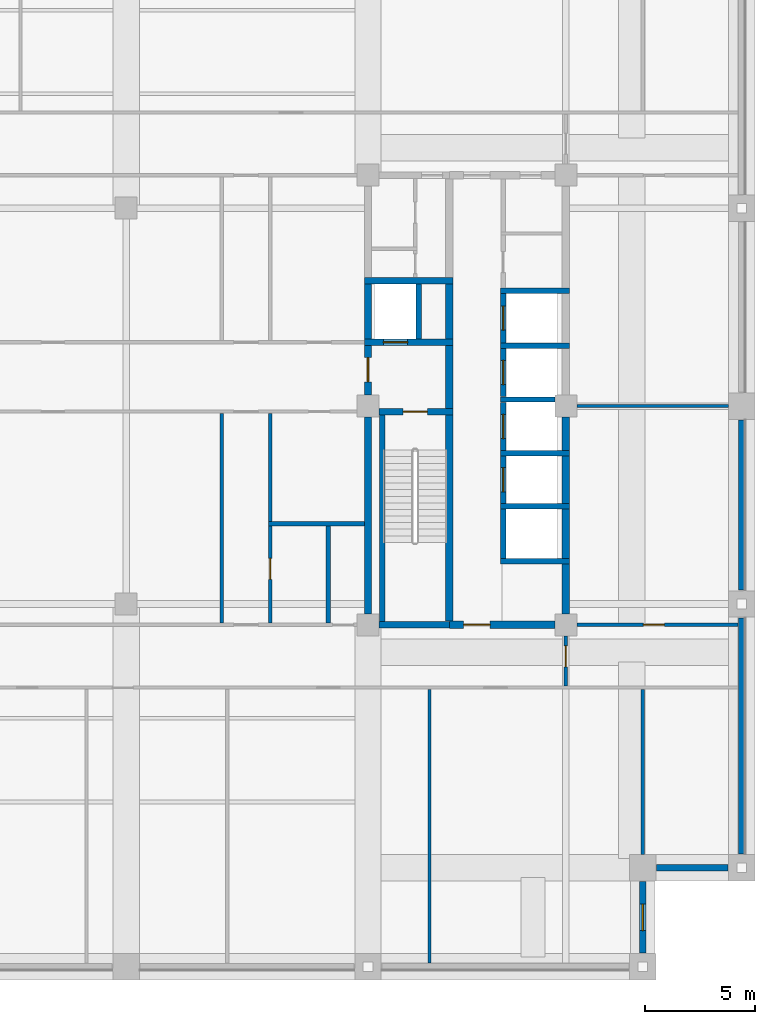
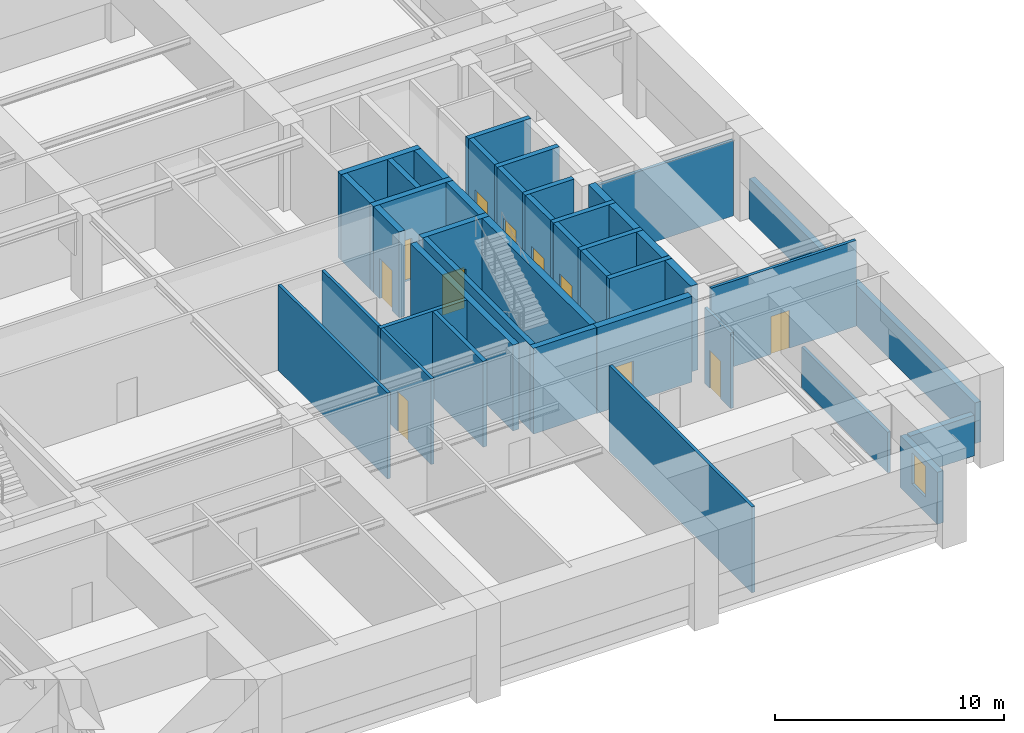
# One storey, part 4 of 11: 42 walls, 11 doors, 1 window, 12 openings.
"""IFC4 building model written with IfcOpenShell, lengths in metres."""

from ifc_helpers import new_model, si_unit, direction, frame, frame_2d, origin, place, context, subcontext, project, spatial, rectangle, extrude, material, layer, layer_set, type_object, element, fill, save


model = new_model("IFC4")

# Units and contexts
model_context = context("Model", 3, precision=1e-05, world=origin(), true_north=direction((0.0, 1.0)))
body_context = subcontext(model_context, "Body", "Model", "MODEL_VIEW")
ifc_project = project(units=[si_unit("LENGTHUNIT", "METRE"), si_unit("AREAUNIT", "SQUARE_METRE"), si_unit("VOLUMEUNIT", "CUBIC_METRE"), si_unit("PLANEANGLEUNIT", "RADIAN"), si_unit("MASSUNIT", "GRAM", prefix="KILO")], contexts=[model_context])

# Site, building, storey
site_placement = place(None, origin())
site = spatial("IfcSite", under=ifc_project, at=site_placement, CompositionType="ELEMENT")
building_placement = place(site_placement, origin())
building = spatial("IfcBuilding", under=site, at=building_placement, Name="Zulmaris Gate Convention Tower", CompositionType="ELEMENT")
storey_placement = place(building_placement, frame((0.0, 0.0, 116.349853515625)))
storey = spatial("IfcBuildingStorey", under=building, at=storey_placement, Name="L29", CompositionType="ELEMENT", Elevation=116.349853515625)

# Walls
ifc_material_1 = material(Name="Concrete C50/60", Category="concrete")
ifc_layer_1 = layer(ifc_material_1, 0.25, Name="Concrete C50/60")
ifc_layer_set_1 = layer_set([ifc_layer_1], Name="Concrete C50/60")
wall_type_1 = type_object("IfcWallType", Name="CORE-250", PredefinedType="SOLIDWALL", material=ifc_layer_set_1)
for number, where, z_axis, x_axis, name in (
    (1, (17.02490234375, -7.050048828125, 0.0), (0.0, 0.0, 1.0), (1.0, 0.0, 0.0), "WL-L29-005"),
    (2, (17.02490234375, -4.550048828125, 0.0), (0.0, 0.0, 1.0), (1.0, 0.0, 0.0), "WL-L29-006"),
    (3, (17.02490234375, -2.14990234375, 0.0), (0.0, 0.0, 1.0), (1.0, 0.0, 0.0), "WL-L29-007"),
):
    element("IfcWall", number, at=place(storey_placement, frame(where, z_axis=z_axis, x_axis=x_axis)), inside=storey, type_object=wall_type_1, Name=name, PredefinedType="SOLIDWALL", context=body_context, shape_type="SweptSolid", body=[
        extrude(rectangle(XDim=3.150146484375, YDim=0.25, at=frame_2d((1.5751953125, 0.0))), origin(), (0.0, 0.0, 1.0), 4.574951171875),
    ])
wall_1_placement = place(storey_placement, frame((17.02490234375, 0.300048828125, 0.0), z_axis=(0.0, 0.0, 1.0), x_axis=(1.0, 0.0, 0.0)))
element("IfcWall", 4, at=wall_1_placement, inside=storey, type_object=wall_type_1, Name="WL-L29-010", PredefinedType="SOLIDWALL", context=body_context, shape_type="SweptSolid", body=[
    extrude(rectangle(XDim=2.47119140625, YDim=0.25, at=frame_2d((1.235595703125, 0.0))), origin(), (0.0, 0.0, 1.0), 4.574951171875),
])
for number, where, z_axis, x_axis, name in (
    (5, (17.02490234375, 2.75, 0.0), (0.0, 0.0, 1.0), (1.0, 0.0, 0.0), "WL-L29-011"),
    (6, (17.02490234375, 5.25, 0.0), (0.0, 0.0, 1.0), (1.0, 0.0, 0.0), "WL-L29-014"),
):
    element("IfcWall", number, at=place(storey_placement, frame(where, z_axis=z_axis, x_axis=x_axis)), inside=storey, type_object=wall_type_1, Name=name, PredefinedType="SOLIDWALL", context=body_context, shape_type="SweptSolid", body=[
        extrude(rectangle(XDim=3.150146484375, YDim=0.25, at=frame_2d((1.5751953125, 0.0))), origin(), (0.0, 0.0, 1.0), 4.574951171875),
    ])
wall_2_placement = place(storey_placement, frame((11.64990234375, -9.798095703125, 0.0), z_axis=(0.0, 0.0, 1.0), x_axis=(0.0, 1.0, 0.0)))
element("IfcWall", 7, at=wall_2_placement, inside=storey, type_object=wall_type_1, Name="WL-L29-054", PredefinedType="SOLIDWALL", context=body_context, shape_type="SweptSolid", body=[
    extrude(rectangle(XDim=9.39599609375, YDim=0.25, at=frame_2d((4.697998046875, 0.0))), origin(), (0.0, 0.0, 1.0), 4.574951171875),
])
wall_3_placement = place(storey_placement, frame((13.300048828125, 3.052001953125, 0.0), z_axis=(0.0, 0.0, 1.0), x_axis=(0.0, 1.0, 0.0)))
element("IfcWall", 8, at=wall_3_placement, inside=storey, type_object=wall_type_1, Name="WL-L29-055", PredefinedType="SOLIDWALL", context=body_context, shape_type="SweptSolid", body=[
    extrude(rectangle(XDim=2.49609375, YDim=0.25, at=frame_2d((1.248046875, 0.0))), origin(), (0.0, 0.0, 1.0), 4.574951171875),
])
wall_4_placement = place(storey_placement, frame((17.14990234375, -6.923095703125, 0.0), z_axis=(0.0, 0.0, 1.0), x_axis=(0.0, 1.0, 0.0)))
element("IfcWall", 9, at=wall_4_placement, inside=storey, type_object=wall_type_1, Name="WL-L29-060", PredefinedType="SOLIDWALL", context=body_context, shape_type="SweptSolid", body=[
    extrude(rectangle(XDim=2.24609375, YDim=0.25, at=frame_2d((1.123046875, 0.0))), origin(), (0.0, 0.0, 1.0), 4.574951171875),
])

# Wall, opening, door
wall_5_placement = place(storey_placement, frame((17.14990234375, -4.423095703125, 0.0), z_axis=(0.0, 0.0, 1.0), x_axis=(0.0, 1.0, 0.0)))
wall_5 = element("IfcWall", 10, at=wall_5_placement, inside=storey, type_object=wall_type_1, Name="WL-L29-061", PredefinedType="SOLIDWALL", context=body_context, shape_type="SweptSolid", body=[
    extrude(rectangle(XDim=2.14599609375, YDim=0.25, at=frame_2d((1.072998046875, 0.0))), origin(), (0.0, 0.0, 1.0), 4.574951171875),
])
opening_1_placement = place(wall_5_placement, frame((0.52294921875, 0.0, 0.0)))
opening_1 = element("IfcOpeningElement", 11, at=opening_1_placement, cuts=wall_5, Name="Opening D-06", PredefinedType="OPENING", context=body_context, shape_type="SweptSolid", body=[
    extrude(rectangle(XDim=1.10009765625, YDim=2.199951171875, at=frame_2d((0.550048828125, 1.10009765625))), frame((0.0, 0.135009765625, 0.0), z_axis=(0.0, -1.0, 0.0), x_axis=(1.0, 0.0, 0.0)), (0.0, 0.0, 1.0), 0.27001953125),
])
ifc_material_2 = material(Name="Brushed Stainless Steel", Category="steel")
door_type_1 = type_object("IfcDoorType", Name="LD-1100", OperationType="NOTDEFINED", PredefinedType="DOOR", material=ifc_material_2)
door_1_placement = place(opening_1_placement, origin())
door_1 = element("IfcDoor", 12, at=door_1_placement, inside=storey, type_object=door_type_1, Name="L29 Lift Landing Door MP-01 17", OperationType="SLIDING_TO_RIGHT", OverallHeight=2.199951171875, OverallWidth=1.10009765625, PredefinedType="DOOR", context=body_context, shape_type="SweptSolid", body=[
    extrude(rectangle(XDim=1.10009765625, YDim=2.199951171875, at=frame_2d((0.550048828125, 1.10009765625))), frame((0.0, 0.02490234375, 0.0), z_axis=(0.0, -1.0, 0.0), x_axis=(1.0, 0.0, 0.0)), (0.0, 0.0, 1.0), 0.050048828125),
])
fill(opening_1, door_1)

wall_6_placement = place(storey_placement, frame((17.14990234375, -2.02294921875, 0.0), z_axis=(0.0, 0.0, 1.0), x_axis=(0.0, 1.0, 0.0)))
wall_6 = element("IfcWall", 13, at=wall_6_placement, inside=storey, type_object=wall_type_1, Name="WL-L29-062", PredefinedType="SOLIDWALL", context=body_context, shape_type="SweptSolid", body=[
    extrude(rectangle(XDim=2.196044921875, YDim=0.25, at=frame_2d((1.09814453125, 0.0))), origin(), (0.0, 0.0, 1.0), 4.574951171875),
])
opening_2_placement = place(wall_6_placement, frame((0.548095703125, 0.0, 0.0)))
opening_2 = element("IfcOpeningElement", 14, at=opening_2_placement, cuts=wall_6, Name="Opening D-06", PredefinedType="OPENING", context=body_context, shape_type="SweptSolid", body=[
    extrude(rectangle(XDim=1.10009765625, YDim=2.199951171875, at=frame_2d((0.550048828125, 1.10009765625))), frame((0.0, 0.135009765625, 0.0), z_axis=(0.0, -1.0, 0.0), x_axis=(1.0, 0.0, 0.0)), (0.0, 0.0, 1.0), 0.27001953125),
])
door_2_placement = place(opening_2_placement, origin())
door_2 = element("IfcDoor", 15, at=door_2_placement, inside=storey, type_object=door_type_1, Name="L29 Lift Landing Door MP-02 18", OperationType="SLIDING_TO_RIGHT", OverallHeight=2.199951171875, OverallWidth=1.10009765625, PredefinedType="DOOR", context=body_context, shape_type="SweptSolid", body=[
    extrude(rectangle(XDim=1.10009765625, YDim=2.199951171875, at=frame_2d((0.550048828125, 1.10009765625))), frame((0.0, 0.02490234375, 0.0), z_axis=(0.0, -1.0, 0.0), x_axis=(1.0, 0.0, 0.0)), (0.0, 0.0, 1.0), 0.050048828125),
])
fill(opening_2, door_2)

wall_7_placement = place(storey_placement, frame((17.14990234375, 0.427001953125, 0.0), z_axis=(0.0, 0.0, 1.0), x_axis=(0.0, 1.0, 0.0)))
wall_7 = element("IfcWall", 16, at=wall_7_placement, inside=storey, type_object=wall_type_1, Name="WL-L29-063", PredefinedType="SOLIDWALL", context=body_context, shape_type="SweptSolid", body=[
    extrude(rectangle(XDim=2.196044921875, YDim=0.25, at=frame_2d((1.09814453125, 0.0))), origin(), (0.0, 0.0, 1.0), 4.574951171875),
])
opening_3_placement = place(wall_7_placement, frame((0.548095703125, 0.0, 0.0)))
opening_3 = element("IfcOpeningElement", 17, at=opening_3_placement, cuts=wall_7, Name="Opening D-06", PredefinedType="OPENING", context=body_context, shape_type="SweptSolid", body=[
    extrude(rectangle(XDim=1.10009765625, YDim=2.199951171875, at=frame_2d((0.550048828125, 1.10009765625))), frame((0.0, 0.135009765625, 0.0), z_axis=(0.0, -1.0, 0.0), x_axis=(1.0, 0.0, 0.0)), (0.0, 0.0, 1.0), 0.27001953125),
])
door_3_placement = place(opening_3_placement, origin())
door_3 = element("IfcDoor", 18, at=door_3_placement, inside=storey, type_object=door_type_1, Name="L29 Lift Landing Door MP-03 19", OperationType="SLIDING_TO_RIGHT", OverallHeight=2.199951171875, OverallWidth=1.10009765625, PredefinedType="DOOR", context=body_context, shape_type="SweptSolid", body=[
    extrude(rectangle(XDim=1.10009765625, YDim=2.199951171875, at=frame_2d((0.550048828125, 1.10009765625))), frame((0.0, 0.02490234375, 0.0), z_axis=(0.0, -1.0, 0.0), x_axis=(1.0, 0.0, 0.0)), (0.0, 0.0, 1.0), 0.050048828125),
])
fill(opening_3, door_3)

wall_8_placement = place(storey_placement, frame((17.14990234375, 2.876953125, 0.0), z_axis=(0.0, 0.0, 1.0), x_axis=(0.0, 1.0, 0.0)))
wall_8 = element("IfcWall", 19, at=wall_8_placement, inside=storey, type_object=wall_type_1, Name="WL-L29-064", PredefinedType="SOLIDWALL", context=body_context, shape_type="SweptSolid", body=[
    extrude(rectangle(XDim=2.24609375, YDim=0.25, at=frame_2d((1.123046875, 0.0))), origin(), (0.0, 0.0, 1.0), 4.574951171875),
])
opening_4_placement = place(wall_8_placement, frame((0.572998046875, 0.0, 0.0)))
opening_4 = element("IfcOpeningElement", 20, at=opening_4_placement, cuts=wall_8, Name="Opening D-06", PredefinedType="OPENING", context=body_context, shape_type="SweptSolid", body=[
    extrude(rectangle(XDim=1.10009765625, YDim=2.199951171875, at=frame_2d((0.550048828125, 1.10009765625))), frame((0.0, 0.135009765625, 0.0), z_axis=(0.0, -1.0, 0.0), x_axis=(1.0, 0.0, 0.0)), (0.0, 0.0, 1.0), 0.27001953125),
])
door_4_placement = place(opening_4_placement, origin())
door_4 = element("IfcDoor", 21, at=door_4_placement, inside=storey, type_object=door_type_1, Name="L29 Lift Landing Door MP-04 20", OperationType="SLIDING_TO_RIGHT", OverallHeight=2.199951171875, OverallWidth=1.10009765625, PredefinedType="DOOR", context=body_context, shape_type="SweptSolid", body=[
    extrude(rectangle(XDim=1.10009765625, YDim=2.199951171875, at=frame_2d((0.550048828125, 1.10009765625))), frame((0.0, 0.02490234375, 0.0), z_axis=(0.0, -1.0, 0.0), x_axis=(1.0, 0.0, 0.0)), (0.0, 0.0, 1.0), 0.050048828125),
])
fill(opening_4, door_4)

# Wall
ifc_layer_2 = layer(ifc_material_1, 0.300048828125, Name="Concrete C50/60")
ifc_layer_set_2 = layer_set([ifc_layer_2], Name="Concrete C50/60")
wall_type_2 = type_object("IfcWallType", Name="CORE-300", PredefinedType="SHEAR", material=ifc_layer_set_2)
wall_9_placement = place(storey_placement, frame((11.50390625, -9.949951171875, 0.0), z_axis=(0.0, 0.0, 1.0), x_axis=(1.0, 0.0, 0.0)))
element("IfcWall", 22, at=wall_9_placement, inside=storey, type_object=wall_type_2, Name="WL-L29-003", PredefinedType="SHEAR", context=body_context, shape_type="SweptSolid", body=[
    extrude(rectangle(XDim=3.196044921875, YDim=0.300048828125, at=frame_2d((1.59814453125, 0.0))), origin(), (0.0, 0.0, 1.0), 4.574951171875),
])

# Wall, opening, door
wall_10_placement = place(storey_placement, frame((11.50390625, -0.25, 0.0), z_axis=(0.0, 0.0, 1.0), x_axis=(1.0, 0.0, 0.0)))
wall_10 = element("IfcWall", 23, at=wall_10_placement, inside=storey, type_object=wall_type_2, Name="WL-L29-009", PredefinedType="SHEAR", context=body_context, shape_type="SweptSolid", body=[
    extrude(rectangle(XDim=3.37109375, YDim=0.300048828125, at=frame_2d((1.685546875, 0.0))), origin(), (0.0, 0.0, 1.0), 4.574951171875),
])
opening_5_placement = place(wall_10_placement, frame((1.095947265625, 0.0, 0.0)))
opening_5 = element("IfcOpeningElement", 24, at=opening_5_placement, cuts=wall_10, Name="Opening D-08", PredefinedType="OPENING", context=body_context, shape_type="SweptSolid", body=[
    extrude(rectangle(XDim=1.10009765625, YDim=2.14990234375, at=frame_2d((0.550048828125, 1.074951171875))), frame((0.0, 0.16015625, 0.0), z_axis=(0.0, -1.0, 0.0), x_axis=(1.0, 0.0, 0.0)), (0.0, 0.0, 1.0), 0.320068359375),
])
ifc_material_3 = material(Name="Fire-Rated Steel", Category="steel")
door_type_2 = type_object("IfcDoorType", Name="DR-1100-FD", OperationType="NOTDEFINED", PredefinedType="DOOR", material=ifc_material_3)
door_5_placement = place(opening_5_placement, origin())
door_5 = element("IfcDoor", 25, at=door_5_placement, inside=storey, type_object=door_type_2, Name="L29 Exit Stair ST-2 Door 04", OperationType="SINGLE_SWING_RIGHT", OverallHeight=2.14990234375, OverallWidth=1.10009765625, PredefinedType="DOOR", context=body_context, shape_type="SweptSolid", body=[
    extrude(rectangle(XDim=1.10009765625, YDim=2.14990234375, at=frame_2d((0.550048828125, 1.074951171875))), frame((0.0, 0.02490234375, 0.0), z_axis=(0.0, -1.0, 0.0), x_axis=(1.0, 0.0, 0.0)), (0.0, 0.0, 1.0), 0.050048828125),
])
fill(opening_5, door_5)

wall_11_placement = place(storey_placement, frame((10.85009765625, 2.89990234375, 0.0), z_axis=(0.0, 0.0, 1.0), x_axis=(1.0, 0.0, 0.0)))
wall_11 = element("IfcWall", 26, at=wall_11_placement, inside=storey, type_object=wall_type_2, Name="WL-L29-013", PredefinedType="SHEAR", context=body_context, shape_type="SweptSolid", body=[
    extrude(rectangle(XDim=4.02490234375, YDim=0.300048828125, at=frame_2d((2.012451171875, 0.0))), origin(), (0.0, 0.0, 1.0), 4.574951171875),
])
opening_6_placement = place(wall_11_placement, frame((0.85009765625, 0.0, 0.0)))
opening_6 = element("IfcOpeningElement", 27, at=opening_6_placement, cuts=wall_11, Name="Opening D-06", PredefinedType="OPENING", context=body_context, shape_type="SweptSolid", body=[
    extrude(rectangle(XDim=1.10009765625, YDim=2.199951171875, at=frame_2d((0.550048828125, 1.10009765625))), frame((0.0, 0.16015625, 0.0), z_axis=(0.0, -1.0, 0.0), x_axis=(1.0, 0.0, 0.0)), (0.0, 0.0, 1.0), 0.320068359375),
])
door_6_placement = place(opening_6_placement, origin())
door_6 = element("IfcDoor", 28, at=door_6_placement, inside=storey, type_object=door_type_1, Name="L29 Lift Landing Door LF-02 06", OperationType="SLIDING_TO_RIGHT", OverallHeight=2.199951171875, OverallWidth=1.10009765625, PredefinedType="DOOR", context=body_context, shape_type="SweptSolid", body=[
    extrude(rectangle(XDim=1.10009765625, YDim=2.199951171875, at=frame_2d((0.550048828125, 1.10009765625))), frame((0.0, 0.02490234375, 0.0), z_axis=(0.0, -1.0, 0.0), x_axis=(1.0, 0.0, 0.0)), (0.0, 0.0, 1.0), 0.050048828125),
])
fill(opening_6, door_6)

# Walls
wall_12_placement = place(storey_placement, frame((10.85009765625, 5.699951171875, 0.0), z_axis=(0.0, 0.0, 1.0), x_axis=(1.0, 0.0, 0.0)))
element("IfcWall", 29, at=wall_12_placement, inside=storey, type_object=wall_type_2, Name="WL-L29-016", PredefinedType="SHEAR", context=body_context, shape_type="SweptSolid", body=[
    extrude(rectangle(XDim=4.02490234375, YDim=0.300048828125, at=frame_2d((2.012451171875, 0.0))), origin(), (0.0, 0.0, 1.0), 4.574951171875),
])
wall_13_placement = place(storey_placement, frame((11.0, -9.446044921875, 0.0), z_axis=(0.0, 0.0, 1.0), x_axis=(0.0, 1.0, 0.0)))
element("IfcWall", 30, at=wall_13_placement, inside=storey, type_object=wall_type_2, Name="WL-L29-050", PredefinedType="SHEAR", context=body_context, shape_type="SweptSolid", body=[
    extrude(rectangle(XDim=8.942138671875, YDim=0.300048828125, at=frame_2d((4.47119140625, 0.0))), origin(), (0.0, 0.0, 1.0), 4.574951171875),
])

# Wall, opening, door
wall_14_placement = place(storey_placement, frame((11.0, 0.50390625, 0.0), z_axis=(0.0, 0.0, 1.0), x_axis=(0.0, 1.0, 0.0)))
wall_14 = element("IfcWall", 31, at=wall_14_placement, inside=storey, type_object=wall_type_2, Name="WL-L29-051", PredefinedType="SHEAR", context=body_context, shape_type="SweptSolid", body=[
    extrude(rectangle(XDim=2.244140625, YDim=0.300048828125, at=frame_2d((1.1220703125, 0.0))), origin(), (0.0, 0.0, 1.0), 4.574951171875),
])
opening_7_placement = place(wall_14_placement, frame((0.595947265625, 0.0, 0.0)))
opening_7 = element("IfcOpeningElement", 32, at=opening_7_placement, cuts=wall_14, Name="Opening D-08", PredefinedType="OPENING", context=body_context, shape_type="SweptSolid", body=[
    extrude(rectangle(XDim=1.10009765625, YDim=2.14990234375, at=frame_2d((0.550048828125, 1.074951171875))), frame((0.0, 0.16015625, 0.0), z_axis=(0.0, -1.0, 0.0), x_axis=(1.0, 0.0, 0.0)), (0.0, 0.0, 1.0), 0.320068359375),
])
door_7_placement = place(opening_7_placement, origin())
door_7 = element("IfcDoor", 33, at=door_7_placement, inside=storey, type_object=door_type_2, Name="L29 East Firefighting Lobby Door 05", OperationType="SINGLE_SWING_LEFT", OverallHeight=2.14990234375, OverallWidth=1.10009765625, PredefinedType="DOOR", context=body_context, shape_type="SweptSolid", body=[
    extrude(rectangle(XDim=1.10009765625, YDim=2.14990234375, at=frame_2d((0.550048828125, 1.074951171875))), frame((0.0, 0.02490234375, 0.0), z_axis=(0.0, -1.0, 0.0), x_axis=(1.0, 0.0, 0.0)), (0.0, 0.0, 1.0), 0.050048828125),
])
fill(opening_7, door_7)

# Wall
wall_15_placement = place(storey_placement, frame((11.0, 3.052001953125, 0.0), z_axis=(0.0, 0.0, 1.0), x_axis=(0.0, 1.0, 0.0)))
element("IfcWall", 34, at=wall_15_placement, inside=storey, type_object=wall_type_2, Name="WL-L29-052", PredefinedType="SHEAR", context=body_context, shape_type="SweptSolid", body=[
    extrude(rectangle(XDim=2.49609375, YDim=0.300048828125, at=frame_2d((1.248046875, 0.0))), origin(), (0.0, 0.0, 1.0), 4.574951171875),
])

# Wall, opening, door
ifc_material_4 = material(Name="Concrete C55/67", Category="concrete")
ifc_layer_3 = layer(ifc_material_4, 0.35009765625, Name="Concrete C55/67")
ifc_layer_set_3 = layer_set([ifc_layer_3], Name="Concrete C55/67")
wall_type_3 = type_object("IfcWallType", Name="CORE-350", PredefinedType="SHEAR", material=ifc_layer_set_3)
wall_16_placement = place(storey_placement, frame((14.699951171875, -9.949951171875, 0.0), z_axis=(0.0, 0.0, 1.0), x_axis=(1.0, 0.0, 0.0)))
wall_16 = element("IfcWall", 35, at=wall_16_placement, inside=storey, type_object=wall_type_3, Name="WL-L29-004", PredefinedType="SHEAR", context=body_context, shape_type="SweptSolid", body=[
    extrude(rectangle(XDim=4.796142578125, YDim=0.35009765625, at=frame_2d((2.39794921875, 0.0))), origin(), (0.0, 0.0, 1.0), 4.574951171875),
])
opening_8_placement = place(wall_16_placement, frame((0.64990234375, 0.0, 0.0)))
opening_8 = element("IfcOpeningElement", 36, at=opening_8_placement, cuts=wall_16, Name="Opening D-13", PredefinedType="OPENING", context=body_context, shape_type="SweptSolid", body=[
    extrude(rectangle(XDim=1.199951171875, YDim=2.14990234375, at=frame_2d((0.60009765625, 1.074951171875))), frame((0.0, 0.18505859375, 0.0), z_axis=(0.0, -1.0, 0.0), x_axis=(1.0, 0.0, 0.0)), (0.0, 0.0, 1.0), 0.3701171875),
])
door_type_3 = type_object("IfcDoorType", Name="DR-1200-FD", OperationType="NOTDEFINED", PredefinedType="DOOR", material=ifc_material_3)
door_8_placement = place(opening_8_placement, origin())
door_8 = element("IfcDoor", 37, at=door_8_placement, inside=storey, type_object=door_type_3, Name="L29 East Lift Lobby South Door 21", OperationType="SINGLE_SWING_RIGHT", OverallHeight=2.14990234375, OverallWidth=1.199951171875, PredefinedType="DOOR", context=body_context, shape_type="SweptSolid", body=[
    extrude(rectangle(XDim=1.199951171875, YDim=2.14990234375, at=frame_2d((0.60009765625, 1.074951171875))), frame((0.0, 0.02490234375, 0.0), z_axis=(0.0, -1.0, 0.0), x_axis=(1.0, 0.0, 0.0)), (0.0, 0.0, 1.0), 0.050048828125),
])
fill(opening_8, door_8)

# Walls
wall_17_placement = place(storey_placement, frame((14.699951171875, -9.77294921875, 0.0), z_axis=(0.0, 0.0, 1.0), x_axis=(0.0, 1.0, 0.0)))
element("IfcWall", 38, at=wall_17_placement, inside=storey, type_object=wall_type_3, Name="WL-L29-056", PredefinedType="SHEAR", context=body_context, shape_type="SweptSolid", body=[
    extrude(rectangle(XDim=9.370849609375, YDim=0.35009765625, at=frame_2d((4.685546875, 0.0))), origin(), (0.0, 0.0, 1.0), 4.574951171875),
])
wall_18_placement = place(storey_placement, frame((14.699951171875, -0.097900390625, 0.0), z_axis=(0.0, 0.0, 1.0), x_axis=(0.0, 1.0, 0.0)))
element("IfcWall", 39, at=wall_18_placement, inside=storey, type_object=wall_type_3, Name="WL-L29-057", PredefinedType="SHEAR", context=body_context, shape_type="SweptSolid", body=[
    extrude(rectangle(XDim=2.845947265625, YDim=0.35009765625, at=frame_2d((1.4228515625, 0.0))), origin(), (0.0, 0.0, 1.0), 4.574951171875),
])
wall_19_placement = place(storey_placement, frame((14.699951171875, 3.052001953125, 0.0), z_axis=(0.0, 0.0, 1.0), x_axis=(0.0, 1.0, 0.0)))
element("IfcWall", 40, at=wall_19_placement, inside=storey, type_object=wall_type_3, Name="WL-L29-058", PredefinedType="SHEAR", context=body_context, shape_type="SweptSolid", body=[
    extrude(rectangle(XDim=2.49609375, YDim=0.35009765625, at=frame_2d((1.248046875, 0.0))), origin(), (0.0, 0.0, 1.0), 4.574951171875),
])
wall_20_placement = place(storey_placement, frame((20.0, -9.446044921875, 0.0), z_axis=(0.0, 0.0, 1.0), x_axis=(0.0, 1.0, 0.0)))
element("IfcWall", 41, at=wall_20_placement, inside=storey, type_object=wall_type_3, Name="WL-L29-065", PredefinedType="SHEAR", context=body_context, shape_type="SweptSolid", body=[
    extrude(rectangle(XDim=2.26904296875, YDim=0.35009765625, at=frame_2d((1.134521484375, 0.0))), origin(), (0.0, 0.0, 1.0), 4.574951171875),
])
wall_21_placement = place(storey_placement, frame((20.0, -6.923095703125, 0.0), z_axis=(0.0, 0.0, 1.0), x_axis=(0.0, 1.0, 0.0)))
element("IfcWall", 42, at=wall_21_placement, inside=storey, type_object=wall_type_3, Name="WL-L29-066", PredefinedType="SHEAR", context=body_context, shape_type="SweptSolid", body=[
    extrude(rectangle(XDim=2.24609375, YDim=0.35009765625, at=frame_2d((1.123046875, 0.0))), origin(), (0.0, 0.0, 1.0), 4.574951171875),
])
wall_22_placement = place(storey_placement, frame((20.0, -4.423095703125, 0.0), z_axis=(0.0, 0.0, 1.0), x_axis=(0.0, 1.0, 0.0)))
element("IfcWall", 43, at=wall_22_placement, inside=storey, type_object=wall_type_3, Name="WL-L29-067", PredefinedType="SHEAR", context=body_context, shape_type="SweptSolid", body=[
    extrude(rectangle(XDim=2.14599609375, YDim=0.35009765625, at=frame_2d((1.072998046875, 0.0))), origin(), (0.0, 0.0, 1.0), 4.574951171875),
])
wall_23_placement = place(storey_placement, frame((20.0, -2.02294921875, 0.0), z_axis=(0.0, 0.0, 1.0), x_axis=(0.0, 1.0, 0.0)))
element("IfcWall", 44, at=wall_23_placement, inside=storey, type_object=wall_type_3, Name="WL-L29-068", PredefinedType="SHEAR", context=body_context, shape_type="SweptSolid", body=[
    extrude(rectangle(XDim=1.51904296875, YDim=0.35009765625, at=frame_2d((0.759521484375, 0.0))), origin(), (0.0, 0.0, 1.0), 4.574951171875),
])

# Wall, opening, door
ifc_material_5 = material(Name="Gypsum Metal Stud Partition")
ifc_layer_4 = layer(ifc_material_5, 0.14990234375, Name="Gypsum Metal Stud Partition")
ifc_layer_set_4 = layer_set([ifc_layer_4], Name="Gypsum Metal Stud Partition")
wall_type_4 = type_object("IfcWallType", Name="PART-150", PredefinedType="PARTITIONING", material=ifc_layer_set_4)
wall_24_placement = place(storey_placement, frame((20.506103515625, -9.949951171875, 0.0), z_axis=(0.0, 0.0, 1.0), x_axis=(1.0, 0.0, 0.0)))
wall_24 = element("IfcWall", 45, at=wall_24_placement, inside=storey, type_object=wall_type_4, Name="WL-L29-024", PredefinedType="PARTITIONING", context=body_context, shape_type="SweptSolid", body=[
    extrude(rectangle(XDim=7.328857421875, YDim=0.14990234375, at=frame_2d((3.66455078125, 0.0))), origin(), (0.0, 0.0, 1.0), 4.574951171875),
])
opening_9_placement = place(wall_24_placement, frame((3.01904296875, 0.0, 0.0)))
opening_9 = element("IfcOpeningElement", 46, at=opening_9_placement, cuts=wall_24, Name="Opening D-25", PredefinedType="OPENING", context=body_context, shape_type="SweptSolid", body=[
    extrude(rectangle(XDim=0.949951171875, YDim=2.02001953125, at=frame_2d((0.47509765625, 1.010009765625))), frame((0.0, 0.0849609375, 0.0), z_axis=(0.0, -1.0, 0.0), x_axis=(1.0, 0.0, 0.0)), (0.0, 0.0, 1.0), 0.169921875),
])
door_type_4 = type_object("IfcDoorType", Name="DR-950-LOW-FD", OperationType="NOTDEFINED", PredefinedType="DOOR", material=ifc_material_3)
door_9_placement = place(opening_9_placement, origin())
door_9 = element("IfcDoor", 47, at=door_9_placement, inside=storey, type_object=door_type_4, Name="L29 SE Partner Door 49", OperationType="SINGLE_SWING_RIGHT", OverallHeight=2.02001953125, OverallWidth=0.949951171875, PredefinedType="DOOR", context=body_context, shape_type="SweptSolid", body=[
    extrude(rectangle(XDim=0.949951171875, YDim=2.02001953125, at=frame_2d((0.47509765625, 1.010009765625))), frame((0.0, 0.02490234375, 0.0), z_axis=(0.0, -1.0, 0.0), x_axis=(1.0, 0.0, 0.0)), (0.0, 0.0, 1.0), 0.050048828125),
])
fill(opening_9, door_9)

# Walls
wall_25_placement = place(storey_placement, frame((20.506103515625, 0.0, 0.0), z_axis=(0.0, 0.0, 1.0), x_axis=(1.0, 0.0, 0.0)))
element("IfcWall", 48, at=wall_25_placement, inside=storey, type_object=wall_type_4, Name="WL-L29-027", PredefinedType="PARTITIONING", context=body_context, shape_type="SweptSolid", body=[
    extrude(rectangle(XDim=6.887939453125, YDim=0.14990234375, at=frame_2d((3.44384765625, 0.0))), origin(), (0.0, 0.0, 1.0), 4.030029296875),
])
wall_26_placement = place(storey_placement, frame((4.35009765625, -9.8720703125, 0.0), z_axis=(0.0, 0.0, 1.0), x_axis=(0.0, 1.0, 0.0)))
element("IfcWall", 49, at=wall_26_placement, inside=storey, type_object=wall_type_4, Name="WL-L29-083", PredefinedType="PARTITIONING", context=body_context, shape_type="SweptSolid", body=[
    extrude(rectangle(XDim=9.544189453125, YDim=0.14990234375, at=frame_2d((4.77197265625, 0.0))), origin(), (0.0, 0.0, 1.0), 4.574951171875),
])

# Wall, opening, door
wall_27_placement = place(storey_placement, frame((6.550048828125, -9.8720703125, 0.0), z_axis=(0.0, 0.0, 1.0), x_axis=(0.0, 1.0, 0.0)))
wall_27 = element("IfcWall", 50, at=wall_27_placement, inside=storey, type_object=wall_type_4, Name="WL-L29-086", PredefinedType="PARTITIONING", context=body_context, shape_type="SweptSolid", body=[
    extrude(rectangle(XDim=4.419189453125, YDim=0.14990234375, at=frame_2d((2.20947265625, 0.0))), origin(), (0.0, 0.0, 1.0), 4.574951171875),
])
opening_10_placement = place(wall_27_placement, frame((1.9970703125, 0.0, 0.0)))
opening_10 = element("IfcOpeningElement", 51, at=opening_10_placement, cuts=wall_27, Name="Opening D-11", PredefinedType="OPENING", context=body_context, shape_type="SweptSolid", body=[
    extrude(rectangle(XDim=0.949951171875, YDim=2.14990234375, at=frame_2d((0.47509765625, 1.074951171875))), frame((0.0, 0.0849609375, 0.0), z_axis=(0.0, -1.0, 0.0), x_axis=(1.0, 0.0, 0.0)), (0.0, 0.0, 1.0), 0.169921875),
])
ifc_material_6 = material(Name="Fire-Rated Timber", Category="wood")
door_type_5 = type_object("IfcDoorType", Name="DR-950-FD", OperationType="NOTDEFINED", PredefinedType="DOOR", material=ifc_material_6)
door_10_placement = place(opening_10_placement, origin())
door_10 = element("IfcDoor", 52, at=door_10_placement, inside=storey, type_object=door_type_5, Name="L29 Accessible WC Door 40", OperationType="SINGLE_SWING_LEFT", OverallHeight=2.14990234375, OverallWidth=0.949951171875, PredefinedType="DOOR", context=body_context, shape_type="SweptSolid", body=[
    extrude(rectangle(XDim=0.949951171875, YDim=2.14990234375, at=frame_2d((0.47509765625, 1.074951171875))), frame((0.0, 0.02490234375, 0.0), z_axis=(0.0, -1.0, 0.0), x_axis=(1.0, 0.0, 0.0)), (0.0, 0.0, 1.0), 0.050048828125),
])
fill(opening_10, door_10)

# Walls
wall_28_placement = place(storey_placement, frame((6.550048828125, -5.2470703125, 0.0), z_axis=(0.0, 0.0, 1.0), x_axis=(0.0, 1.0, 0.0)))
element("IfcWall", 53, at=wall_28_placement, inside=storey, type_object=wall_type_4, Name="WL-L29-087", PredefinedType="PARTITIONING", context=body_context, shape_type="SweptSolid", body=[
    extrude(rectangle(XDim=4.919189453125, YDim=0.14990234375, at=frame_2d((2.45947265625, 0.0))), origin(), (0.0, 0.0, 1.0), 4.574951171875),
])
wall_29_placement = place(storey_placement, frame((13.800048828125, -25.3349609375, 0.0), z_axis=(0.0, 0.0, 1.0), x_axis=(0.0, 1.0, 0.0)))
element("IfcWall", 54, at=wall_29_placement, inside=storey, type_object=wall_type_4, Name="WL-L29-092", PredefinedType="PARTITIONING", context=body_context, shape_type="SweptSolid", body=[
    extrude(rectangle(XDim=12.45703125, YDim=0.14990234375, at=frame_2d((6.228515625, 0.0))), origin(), (0.0, 0.0, 1.0), 4.574951171875),
])

# Wall, opening, door
wall_30_placement = place(storey_placement, frame((20.0, -12.721923828125, 0.0), z_axis=(0.0, 0.0, 1.0), x_axis=(0.0, 1.0, 0.0)))
wall_30 = element("IfcWall", 55, at=wall_30_placement, inside=storey, type_object=wall_type_4, Name="WL-L29-095", PredefinedType="PARTITIONING", context=body_context, shape_type="SweptSolid", body=[
    extrude(rectangle(XDim=2.265869140625, YDim=0.14990234375, at=frame_2d((1.1328125, 0.0))), origin(), (0.0, 0.0, 1.0), 4.030029296875),
])
opening_11_placement = place(wall_30_placement, frame((0.866943359375, 0.0, 0.0)))
opening_11 = element("IfcOpeningElement", 56, at=opening_11_placement, cuts=wall_30, Name="Opening D-25", PredefinedType="OPENING", context=body_context, shape_type="SweptSolid", body=[
    extrude(rectangle(XDim=0.949951171875, YDim=2.02001953125, at=frame_2d((0.47509765625, 1.010009765625))), frame((0.0, 0.0849609375, 0.0), z_axis=(0.0, -1.0, 0.0), x_axis=(1.0, 0.0, 0.0)), (0.0, 0.0, 1.0), 0.169921875),
])
door_11_placement = place(opening_11_placement, origin())
door_11 = element("IfcDoor", 57, at=door_11_placement, inside=storey, type_object=door_type_4, Name="L29 SE Spur Door 47", OperationType="SINGLE_SWING_RIGHT", OverallHeight=2.02001953125, OverallWidth=0.949951171875, PredefinedType="DOOR", context=body_context, shape_type="SweptSolid", body=[
    extrude(rectangle(XDim=0.949951171875, YDim=2.02001953125, at=frame_2d((0.47509765625, 1.010009765625))), frame((0.0, 0.02490234375, 0.0), z_axis=(0.0, -1.0, 0.0), x_axis=(1.0, 0.0, 0.0)), (0.0, 0.0, 1.0), 0.050048828125),
])
fill(opening_11, door_11)

# Walls
wall_31_placement = place(storey_placement, frame((23.5, -20.39404296875, 0.0), z_axis=(0.0, 0.0, 1.0), x_axis=(0.0, 1.0, 0.0)))
element("IfcWall", 58, at=wall_31_placement, inside=storey, type_object=wall_type_4, Name="WL-L29-097", PredefinedType="PARTITIONING", context=body_context, shape_type="SweptSolid", body=[
    extrude(rectangle(XDim=7.51611328125, YDim=0.14990234375, at=frame_2d((3.758056640625, 0.0))), origin(), (0.0, 0.0, 1.0), 2.1669921875),
])
ifc_material_7 = material(Name="Autoclaved Aerated Concrete Block and Plasterboard", Category="concrete")
ifc_layer_5 = layer(ifc_material_7, 0.199951171875, Name="Autoclaved Aerated Concrete Block and Plasterboard")
ifc_layer_set_5 = layer_set([ifc_layer_5], Name="Autoclaved Aerated Concrete Block and Plasterboard")
wall_type_5 = type_object("IfcWallType", Name="PART-200", PredefinedType="PARTITIONING", material=ifc_layer_set_5)
wall_32_placement = place(storey_placement, frame((6.47509765625, -5.35009765625, 0.0), z_axis=(0.0, 0.0, 1.0), x_axis=(1.0, 0.0, 0.0)))
element("IfcWall", 59, at=wall_32_placement, inside=storey, type_object=wall_type_5, Name="WL-L29-025", PredefinedType="PARTITIONING", context=body_context, shape_type="SweptSolid", body=[
    extrude(rectangle(XDim=4.371826171875, YDim=0.199951171875, at=frame_2d((2.18603515625, 0.0))), origin(), (0.0, 0.0, 1.0), 4.574951171875),
])
wall_33_placement = place(storey_placement, frame((9.199951171875, -9.8720703125, 0.0), z_axis=(0.0, 0.0, 1.0), x_axis=(0.0, 1.0, 0.0)))
element("IfcWall", 60, at=wall_33_placement, inside=storey, type_object=wall_type_5, Name="WL-L29-089", PredefinedType="PARTITIONING", context=body_context, shape_type="SweptSolid", body=[
    extrude(rectangle(XDim=4.419189453125, YDim=0.199951171875, at=frame_2d((2.20947265625, 0.0))), origin(), (0.0, 0.0, 1.0), 4.574951171875),
])

# Wall, opening, window
ifc_material_8 = material(Name="Precast concrete C40/50", Category="concrete")
ifc_layer_6 = layer(ifc_material_8, 0.300048828125, Name="Precast concrete C40/50")
ifc_layer_set_6 = layer_set([ifc_layer_6], Name="Precast concrete C40/50")
wall_type_6 = type_object("IfcWallType", Name="PRECAST-PIER-300", PredefinedType="STANDARD", material=ifc_layer_set_6)
wall_34_placement = place(storey_placement, frame((23.5, -24.8701171875, 0.0), z_axis=(0.0, 0.0, 1.0), x_axis=(0.0, 1.0, 0.0)))
wall_34 = element("IfcWall", 61, at=wall_34_placement, inside=storey, type_object=wall_type_6, Name="EW-L29-NOTCH-SE1_0", PredefinedType="STANDARD", context=body_context, shape_type="SweptSolid", body=[
    extrude(rectangle(XDim=3.240234375, YDim=0.300048828125, at=frame_2d((1.6201171875, 0.0))), origin(), (0.0, 0.0, 1.0), 2.76708984375),
])
opening_12_placement = place(wall_34_placement, frame((1.02001953125, 0.0, 0.820068359375)))
opening_12 = element("IfcOpeningElement", 62, at=opening_12_placement, cuts=wall_34, Name="Opening W-04", PredefinedType="OPENING", context=body_context, shape_type="SweptSolid", body=[
    extrude(rectangle(XDim=1.199951171875, YDim=1.64990234375, at=frame_2d((0.60009765625, 0.824951171875))), frame((0.0, 0.16015625, 0.0), z_axis=(0.0, -1.0, 0.0), x_axis=(1.0, 0.0, 0.0)), (0.0, 0.0, 1.0), 0.320068359375),
])
ifc_material_9 = material(Name="Low-E Laminated Double Glazing in Aluminium Frame", Category="aluminium")
window_type = type_object("IfcWindowType", Name="WIN-1200x2100", PartitioningType="SINGLE_PANEL", PredefinedType="WINDOW", material=ifc_material_9)
window_placement = place(opening_12_placement, origin())
window = element("IfcWindow", 63, at=window_placement, inside=storey, type_object=window_type, Name="WN-EW-L29-NOTCH-SE1_0", OverallHeight=1.64990234375, OverallWidth=1.199951171875, PartitioningType="SINGLE_PANEL", PredefinedType="WINDOW", context=body_context, shape_type="SweptSolid", body=[
    extrude(rectangle(XDim=1.199951171875, YDim=1.64990234375, at=frame_2d((0.60009765625, 0.824951171875))), frame((0.0, 0.030029296875, 0.0), z_axis=(0.0, -1.0, 0.0), x_axis=(1.0, 0.0, 0.0)), (0.0, 0.0, 1.0), 0.06005859375),
])
fill(opening_12, window)

# Walls
wall_35_placement = place(storey_placement, frame((24.1298828125, -21.0, 0.0), z_axis=(0.0, 0.0, 1.0), x_axis=(1.0, 0.0, 0.0)))
element("IfcWall", 64, at=wall_35_placement, inside=storey, type_object=wall_type_6, Name="EW-L29-NOTCH-SE2_0", PredefinedType="STANDARD", context=body_context, shape_type="SweptSolid", body=[
    extrude(rectangle(XDim=3.240234375, YDim=0.300048828125, at=frame_2d((1.6201171875, 0.0))), origin(), (0.0, 0.0, 1.0), 2.1669921875),
])
wall_36_placement = place(storey_placement, frame((28.0, -20.3701171875, 0.0), z_axis=(0.0, 0.0, 1.0), x_axis=(0.0, 1.0, 0.0)))
element("IfcWall", 65, at=wall_36_placement, inside=storey, type_object=wall_type_6, Name="EW-L29-E-0_0", PredefinedType="STANDARD", context=body_context, shape_type="SweptSolid", body=[
    extrude(rectangle(XDim=10.740234375, YDim=0.300048828125, at=frame_2d((5.3701171875, 0.0))), origin(), (0.0, 0.0, 1.0), 2.1669921875),
])
wall_37_placement = place(storey_placement, frame((28.0, -8.3701171875, 0.0), z_axis=(0.0, 0.0, 1.0), x_axis=(0.0, 1.0, 0.0)))
element("IfcWall", 66, at=wall_37_placement, inside=storey, type_object=wall_type_6, Name="EW-L29-E-1_0", PredefinedType="STANDARD", context=body_context, shape_type="SweptSolid", body=[
    extrude(rectangle(XDim=7.740234375, YDim=0.300048828125, at=frame_2d((3.8701171875, 0.0))), origin(), (0.0, 0.0, 1.0), 2.1669921875),
])

save(model, "model.ifc")
